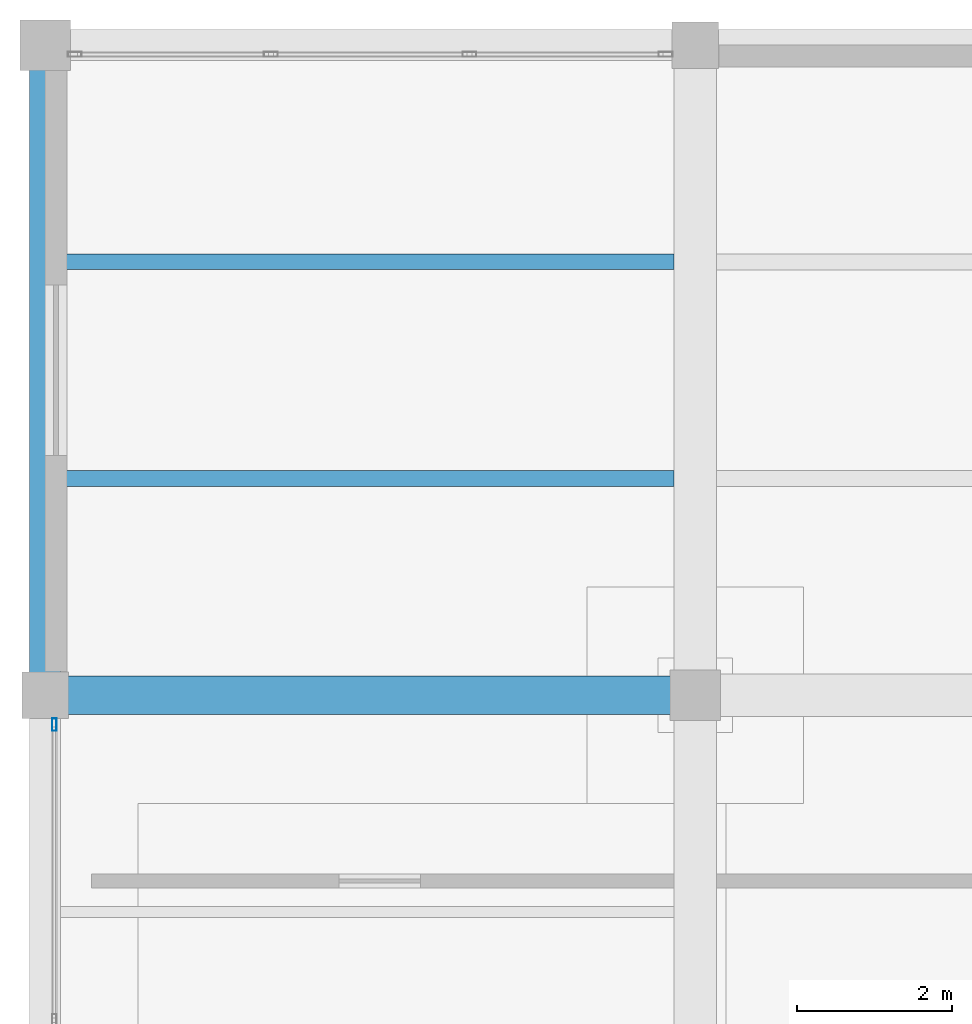
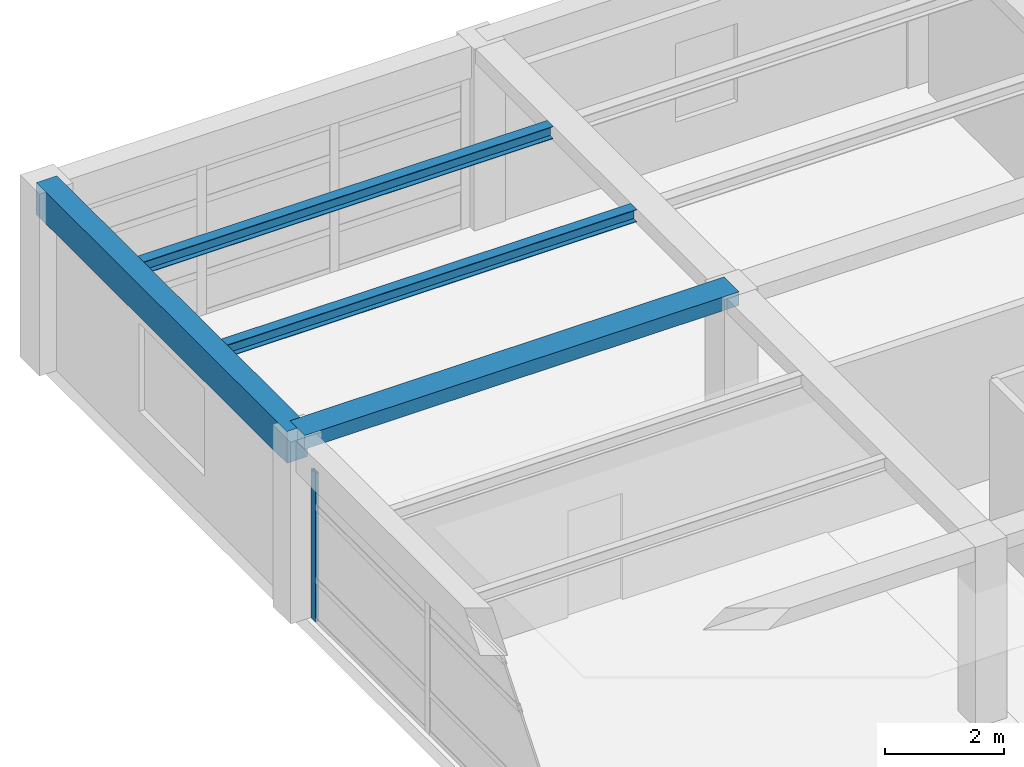
# One storey, part 11 of 26: 4 beams, 1 member, 1 element without a shape of its own.
"""IFC4 building model written with IfcOpenShell, lengths in metres."""

from ifc_helpers import new_model, si_unit, direction, frame, origin, origin_2d, place, context, subcontext, project, spatial, rectangle, hollow_rectangle, i_section, extrude, material, material_profile, profile_set, type_object, element, aggregate, save


model = new_model("IFC4")

# Units and contexts
model_context = context("Model", 3, precision=1e-05, world=origin(), true_north=direction((0.0, 1.0)))
body_context = subcontext(model_context, "Body", "Model", "MODEL_VIEW")
ifc_project = project(units=[si_unit("LENGTHUNIT", "METRE"), si_unit("AREAUNIT", "SQUARE_METRE"), si_unit("VOLUMEUNIT", "CUBIC_METRE"), si_unit("PLANEANGLEUNIT", "RADIAN"), si_unit("MASSUNIT", "GRAM", prefix="KILO")], contexts=[model_context])

# Site, building, storey
site_placement = place(None, origin())
site = spatial("IfcSite", under=ifc_project, at=site_placement, CompositionType="ELEMENT")
building_placement = place(site_placement, origin())
building = spatial("IfcBuilding", under=site, at=building_placement, Name="Almacenes y Pasaje Nevantli", CompositionType="ELEMENT")
storey_placement = place(building_placement, frame((0.0, 0.0, 54.699951171875)))
storey = spatial("IfcBuildingStorey", under=building, at=storey_placement, Name="L13", CompositionType="ELEMENT", Elevation=54.699951171875)

# Beams
ifc_material_1 = material(Name="Concrete C35/45", Category="concrete")
ifc_material_profile_1 = material_profile(ifc_material_1, rectangle(XDim=0.39990234375, YDim=0.64990234375, at=origin_2d()), Name="RC-BM-400x650")
ifc_profile_set_1 = profile_set([ifc_material_profile_1], Name="Concrete C35/45")
beam_type_1 = type_object("IfcBeamType", Name="BM-RC-400x650", PredefinedType="SPANDREL", material=ifc_profile_set_1)
beam_1_placement = place(storey_placement, frame((117.60009765625, 92.39990234375, 3.39501953125), z_axis=(0.0, 1.0, 0.0), x_axis=(-1.0, 0.0, 0.0)))
element("IfcBeam", 1, at=beam_1_placement, inside=storey, type_object=beam_type_1, Name="L13 North-South Reinforced Concrete Beam #3966", PredefinedType="SPANDREL", context=body_context, shape_type="SweptSolid", body=[
    extrude(rectangle(XDim=0.39990234375, YDim=0.64990234375, at=origin_2d()), origin(), (0.0, 0.0, 1.0), 8.400146484375),
])
ifc_material_2 = material(Name="Concrete C35/45", Category="concrete")
ifc_material_profile_2 = material_profile(ifc_material_2, rectangle(XDim=0.5, YDim=0.280029296875, at=origin_2d()), Name="RC-BM-500x280")
ifc_profile_set_2 = profile_set([ifc_material_profile_2], Name="Concrete C35/45")
beam_type_2 = type_object("IfcBeamType", Name="BM-RC-500x280", PredefinedType="BEAM", material=ifc_profile_set_2)
beam_2_placement = place(storey_placement, frame((117.60009765625, 92.39990234375, 3.580078125), z_axis=(1.0, 0.0, 0.0), x_axis=(0.0, 1.0, 0.0)))
element("IfcBeam", 2, at=beam_2_placement, inside=storey, type_object=beam_type_2, Name="L13 East-West Reinforced Concrete Beam #3953", PredefinedType="BEAM", context=body_context, shape_type="SweptSolid", body=[
    extrude(rectangle(XDim=0.5, YDim=0.280029296875, at=origin_2d()), origin(), (0.0, 0.0, 1.0), 8.39990234375),
])
ifc_material_3 = material(Name="Steel ASTM A992", Category="steel")
ifc_material_profile_3 = material_profile(ifc_material_3, i_section(OverallWidth=0.202880859375, OverallDepth=0.25390625, WebThickness=0.00732421875, FlangeThickness=0.010986328125, at=origin_2d()), Name="IR 254x49.1")
ifc_profile_set_3 = profile_set([ifc_material_profile_3], Name="Steel ASTM A992")
beam_type_3 = type_object("IfcBeamType", Name="BM-STL-IR-254x49p1", PredefinedType="JOIST", material=ifc_profile_set_3)
for number, where, z_axis, x_axis, name in (
    (3, (117.800048828125, 95.199951171875, 3.5849609375), (1.0, 0.0, 0.0), (0.0, 1.0, 0.0), "L13 Secondary Steel Floor Joist #1569"),
    (4, (117.800048828125, 98.0, 3.5849609375), (1.0, 0.0, 0.0), (0.0, 1.0, 0.0), "L13 Secondary Steel Floor Joist #1570"),
):
    element("IfcBeam", number, at=place(storey_placement, frame(where, z_axis=z_axis, x_axis=x_axis)), inside=storey, type_object=beam_type_3, Name=name, PredefinedType="JOIST", context=body_context, shape_type="SweptSolid", body=[
        extrude(i_section(OverallWidth=0.202880859375, OverallDepth=0.25390625, WebThickness=0.00732421875, FlangeThickness=0.010986328125, at=origin_2d()), origin(), (0.0, 0.0, 1.0), 7.925048828125),
    ])

# Curtain wall, member
ifc_material_4 = material(Name="Thermally Broken Aluminium and Low-E Glass", Category="aluminium")
curtain_wall_type = type_object("IfcCurtainWallType", Name="CW-UNIT-TOWER", PredefinedType="USERDEFINED", material=ifc_material_4)
curtain_wall_placement = place(storey_placement, origin())
curtain_wall = element("IfcCurtainWall", 5, at=curtain_wall_placement, inside=storey, type_object=curtain_wall_type, Name="L13 Tower West Curtain Wall Bay 11", ObjectType="UNITIZED CURTAIN WALL", PredefinedType="USERDEFINED")
ifc_material_5 = material(Name="Thermally Broken Anodized Aluminium", Category="aluminium")
ifc_material_profile_4 = material_profile(ifc_material_5, hollow_rectangle(XDim=0.06005859375, YDim=0.159912109375, WallThickness=0.00390625, at=origin_2d()), Name="ALU-MUL-60x160")
ifc_profile_set_4 = profile_set([ifc_material_profile_4], Name="Thermally Broken Anodized Aluminium")
member_type = type_object("IfcMemberType", Name="CW-MUL-180", PredefinedType="MULLION", material=ifc_profile_set_4)
member_placement = place(storey_placement, frame((117.719970703125, 92.02001953125, 0.0), z_axis=(0.0, 0.0, 1.0), x_axis=(-1.0, 0.0, 0.0)))
member = element("IfcMember", 6, at=member_placement, type_object=member_type, Name="CW-L13-175 mullion 3", PredefinedType="MULLION", context=body_context, shape_type="SweptSolid", body=[
    extrude(hollow_rectangle(XDim=0.06005859375, YDim=0.159912109375, WallThickness=0.00390625, at=origin_2d()), origin(), (0.0, 0.0, 1.0), 3.0400390625),
])
aggregate(curtain_wall, [member])

save(model, "model.ifc")
